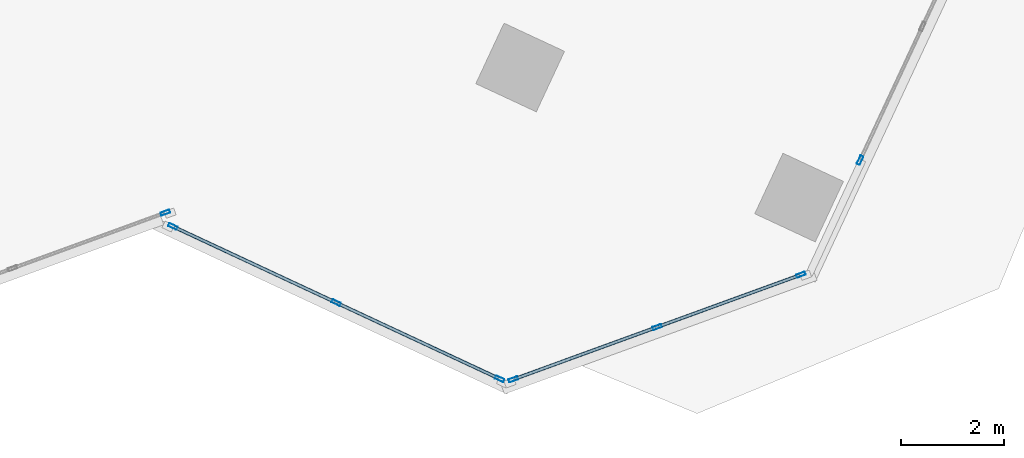
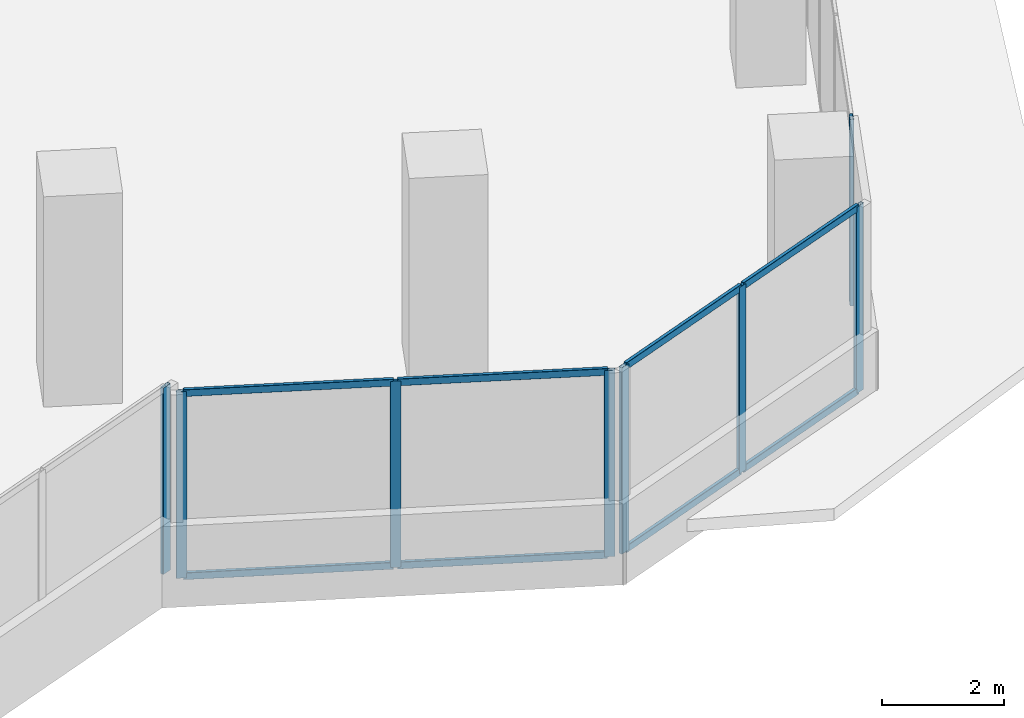
# One storey, part 7 of 23: 16 members, 4 elements without a shape of their own.
"""IFC4 building model written with IfcOpenShell, lengths in metres."""

from ifc_helpers import new_model, si_unit, direction, frame, origin, origin_2d, place, context, subcontext, project, spatial, hollow_rectangle, extrude, source, transform, mapped, material, material_profile, profile_set, type_object, element, aggregate, save


model = new_model("IFC4")

# Units and contexts
model_context = context("Model", 3, precision=1e-05, world=origin(), true_north=direction((0.0, 1.0)))
body_context = subcontext(model_context, "Body", "Model", "MODEL_VIEW")
ifc_project = project(units=[si_unit("LENGTHUNIT", "METRE"), si_unit("AREAUNIT", "SQUARE_METRE"), si_unit("VOLUMEUNIT", "CUBIC_METRE"), si_unit("PLANEANGLEUNIT", "RADIAN"), si_unit("MASSUNIT", "GRAM", prefix="KILO")], contexts=[model_context])

# Site, building, storey
site_placement = place(None, origin())
site = spatial("IfcSite", under=ifc_project, at=site_placement, CompositionType="ELEMENT")
building_placement = place(site_placement, origin())
building = spatial("IfcBuilding", under=site, at=building_placement, Name="Torre Montelarca", CompositionType="ELEMENT")
storey_placement = place(building_placement, frame((0.0, 0.0, 154.0)))
storey = spatial("IfcBuildingStorey", under=building, at=storey_placement, Name="L34", CompositionType="ELEMENT", Elevation=154.0)

# Curtain wall, members
ifc_material_1 = material(Name="Insulated low-E laminated glass", Category="glass")
curtain_wall_type = type_object("IfcCurtainWallType", Name="CW-SYS-Z2", PredefinedType="USERDEFINED", material=ifc_material_1)
curtain_wall_1_placement = place(storey_placement, origin())
curtain_wall_1 = element("IfcCurtainWall", 1, at=curtain_wall_1_placement, inside=storey, type_object=curtain_wall_type, Name="L34 Curtain Wall Run CW-T3-L34-E05-B1", ObjectType="UNITISED GLAZING", PredefinedType="USERDEFINED")
ifc_material_2 = material(Name="Anodised aluminium AA 6063-T6", Category="aluminium")
ifc_material_profile_1 = material_profile(ifc_material_2, hollow_rectangle(XDim=0.06494140625, YDim=0.139892578125, WallThickness=0.00390625, InnerFilletRadius=0.00390625, OuterFilletRadius=0.008056640625, at=origin_2d()), Name="ALU65X140X4", Category="aluminium")
ifc_profile_set_1 = profile_set([ifc_material_profile_1], Name="Anodised aluminium AA 6063-T6")
member_type_1 = type_object("IfcMemberType", Name="CWT-ALU140", PredefinedType="USERDEFINED", material=ifc_profile_set_1)
shared_shape_1 = source(origin(), body_context, "Body", "SweptSolid", [
    extrude(hollow_rectangle(XDim=0.06494140625, YDim=0.139892578125, WallThickness=0.00390625, InnerFilletRadius=0.00390625, OuterFilletRadius=0.008056640625, at=origin_2d()), origin(), (0.0, 0.0, 1.0), 2.918701171875),
])
member_1_placement = place(storey_placement, frame((36.5947265625, 10.01611328125, 0.032470703125), z_axis=(0.939688362671, 0.342031842172, 0.0), x_axis=(-0.342031842172, 0.939688362671, 0.0)))
member_1 = element("IfcMember", 2, at=member_1_placement, type_object=member_type_1, Name="CW transom 1.1", ObjectType="TRANSOM", PredefinedType="USERDEFINED", context=body_context, shape_type="MappedRepresentation", body=[
    mapped(shared_shape_1, transform((0.0, 0.0, 0.0), scale=1.0)),
])
member_2_placement = place(storey_placement, frame((36.5947265625, 10.01611328125, 3.6875), z_axis=(0.939688362671, 0.342031842172, 0.0), x_axis=(-0.342031842172, 0.939688362671, 0.0)))
member_2 = element("IfcMember", 3, at=member_2_placement, type_object=member_type_1, Name="CW transom 1.2", ObjectType="TRANSOM", PredefinedType="USERDEFINED", context=body_context, shape_type="MappedRepresentation", body=[
    mapped(shared_shape_1, transform((0.0, 0.0, 0.0), scale=1.0)),
])
member_3_placement = place(storey_placement, frame((39.3984375, 11.03662109375, 0.032470703125), z_axis=(0.939715244905, 0.341957977672, 0.0), x_axis=(-0.341957977672, 0.939715244905, 0.0)))
member_3 = element("IfcMember", 4, at=member_3_placement, type_object=member_type_1, Name="CW transom 2.1", ObjectType="TRANSOM", PredefinedType="USERDEFINED", context=body_context, shape_type="MappedRepresentation", body=[
    mapped(shared_shape_1, transform((0.0, 0.0, 0.0), scale=1.0)),
])
member_4_placement = place(storey_placement, frame((39.3984375, 11.03662109375, 3.6875), z_axis=(0.939715244905, 0.341957977672, 0.0), x_axis=(-0.341957977672, 0.939715244905, 0.0)))
member_4 = element("IfcMember", 5, at=member_4_placement, type_object=member_type_1, Name="CW transom 2.2", ObjectType="TRANSOM", PredefinedType="USERDEFINED", context=body_context, shape_type="MappedRepresentation", body=[
    mapped(shared_shape_1, transform((0.0, 0.0, 0.0), scale=1.0)),
])

# Curtain wall, member
curtain_wall_2_placement = place(storey_placement, origin())
curtain_wall_2 = element("IfcCurtainWall", 6, at=curtain_wall_2_placement, inside=storey, type_object=curtain_wall_type, Name="L34 Curtain Wall Run CW-T3-L34-E02-B1", ObjectType="UNITISED GLAZING", PredefinedType="USERDEFINED")
ifc_material_profile_2 = material_profile(ifc_material_2, hollow_rectangle(XDim=0.06494140625, YDim=0.179931640625, WallThickness=0.00390625, InnerFilletRadius=0.00390625, OuterFilletRadius=0.008056640625, at=origin_2d()), Name="ALU65X180X4", Category="aluminium")
ifc_profile_set_2 = profile_set([ifc_material_profile_2], Name="Anodised aluminium AA 6063-T6")
member_type_2 = type_object("IfcMemberType", Name="CWM-ALU180", PredefinedType="MULLION", material=ifc_profile_set_2)
shared_shape_2 = source(origin(), body_context, "Body", "SweptSolid", [
    extrude(hollow_rectangle(XDim=0.06494140625, YDim=0.179931640625, WallThickness=0.00390625, InnerFilletRadius=0.00390625, OuterFilletRadius=0.008056640625, at=origin_2d()), origin(), (0.0, 0.0, 1.0), 3.719970703125),
])
member_5_placement = place(storey_placement, frame((29.781982421875, 13.25537109375, 0.0), z_axis=(0.0, 0.0, 1.0), x_axis=(-0.342017799316, 0.939693473932, 0.0)))
member_5 = element("IfcMember", 7, at=member_5_placement, type_object=member_type_2, Name="CW mullion 3", PredefinedType="MULLION", context=body_context, shape_type="MappedRepresentation", body=[
    mapped(shared_shape_2, transform((0.0, 0.0, 0.0), scale=1.0)),
])
aggregate(curtain_wall_2, [member_5])

# Curtain wall, members
curtain_wall_3_placement = place(storey_placement, origin())
curtain_wall_3 = element("IfcCurtainWall", 8, at=curtain_wall_3_placement, inside=storey, type_object=curtain_wall_type, Name="L34 Curtain Wall Run CW-T3-L34-E04-B1", ObjectType="UNITISED GLAZING", PredefinedType="USERDEFINED")
member_6_placement = place(storey_placement, frame((29.9287109375, 12.986328125, 0.0), z_axis=(0.0, 0.0, 1.0), x_axis=(0.422602150764, 0.906315299534, 0.0)))
member_6 = element("IfcMember", 9, at=member_6_placement, type_object=member_type_2, Name="CW mullion 1", PredefinedType="MULLION", context=body_context, shape_type="MappedRepresentation", body=[
    mapped(shared_shape_2, transform((0.0, 0.0, 0.0), scale=1.0)),
])
member_7_placement = place(storey_placement, frame((33.113037109375, 11.50146484375, 0.0), z_axis=(0.0, 0.0, 1.0), x_axis=(0.422602150764, 0.906315299534, 0.0)))
member_7 = element("IfcMember", 10, at=member_7_placement, type_object=member_type_2, Name="CW mullion 2", PredefinedType="MULLION", context=body_context, shape_type="MappedRepresentation", body=[
    mapped(shared_shape_2, transform((0.0, 0.0, 0.0), scale=1.0)),
])
member_8_placement = place(storey_placement, frame((36.29736328125, 10.016845703125, 0.0), z_axis=(0.0, 0.0, 1.0), x_axis=(0.422602150764, 0.906315299534, 0.0)))
member_8 = element("IfcMember", 11, at=member_8_placement, type_object=member_type_2, Name="CW mullion 3", PredefinedType="MULLION", context=body_context, shape_type="MappedRepresentation", body=[
    mapped(shared_shape_2, transform((0.0, 0.0, 0.0), scale=1.0)),
])

# Member
member_9_placement = place(storey_placement, frame((36.564208984375, 10.005126953125, 0.0), z_axis=(0.0, 0.0, 1.0), x_axis=(-0.342015916313, 0.939694159282, 0.0)))
member_9 = element("IfcMember", 12, at=member_9_placement, type_object=member_type_2, Name="CW mullion 1", PredefinedType="MULLION", context=body_context, shape_type="MappedRepresentation", body=[
    mapped(shared_shape_2, transform((0.0, 0.0, 0.0), scale=1.0)),
])

member_10_placement = place(storey_placement, frame((39.367919921875, 11.025390625, 0.0), z_axis=(0.0, 0.0, 1.0), x_axis=(-0.342015916313, 0.939694159282, 0.0)))
member_10 = element("IfcMember", 13, at=member_10_placement, type_object=member_type_2, Name="CW mullion 2", PredefinedType="MULLION", context=body_context, shape_type="MappedRepresentation", body=[
    mapped(shared_shape_2, transform((0.0, 0.0, 0.0), scale=1.0)),
])

member_11_placement = place(storey_placement, frame((42.171630859375, 12.0458984375, 0.0), z_axis=(0.0, 0.0, 1.0), x_axis=(-0.342015916313, 0.939694159282, 0.0)))
member_11 = element("IfcMember", 14, at=member_11_placement, type_object=member_type_2, Name="CW mullion 3", PredefinedType="MULLION", context=body_context, shape_type="MappedRepresentation", body=[
    mapped(shared_shape_2, transform((0.0, 0.0, 0.0), scale=1.0)),
])

aggregate(curtain_wall_1, [member_9, member_10, member_11, member_1, member_2, member_3, member_4])

# Curtain wall, member
curtain_wall_4_placement = place(storey_placement, origin())
curtain_wall_4 = element("IfcCurtainWall", 15, at=curtain_wall_4_placement, inside=storey, type_object=curtain_wall_type, Name="L34 Curtain Wall Run CW-T3-L34-E06-B1", ObjectType="UNITISED GLAZING", PredefinedType="USERDEFINED")
member_12_placement = place(storey_placement, frame((43.325439453125, 14.2783203125, 0.0), z_axis=(0.0, 0.0, 1.0), x_axis=(-0.906306995899, 0.422619958337, 0.0)))
member_12 = element("IfcMember", 16, at=member_12_placement, type_object=member_type_2, Name="CW mullion 1", PredefinedType="MULLION", context=body_context, shape_type="MappedRepresentation", body=[
    mapped(shared_shape_2, transform((0.0, 0.0, 0.0), scale=1.0)),
])
aggregate(curtain_wall_4, [member_12])

# Member
shared_shape_3 = source(origin(), body_context, "Body", "SweptSolid", [
    extrude(hollow_rectangle(XDim=0.06494140625, YDim=0.139892578125, WallThickness=0.00390625, InnerFilletRadius=0.00390625, OuterFilletRadius=0.008056640625, at=origin_2d()), origin(), (0.0, 0.0, 1.0), 3.448486328125),
])
member_13_placement = place(storey_placement, frame((29.958251953125, 12.97265625, 0.032470703125), z_axis=(0.906325971471, -0.422579262905, 0.0), x_axis=(0.422579262905, 0.906325971471, 0.0)))
member_13 = element("IfcMember", 17, at=member_13_placement, type_object=member_type_1, Name="CW transom 1.1", ObjectType="TRANSOM", PredefinedType="USERDEFINED", context=body_context, shape_type="MappedRepresentation", body=[
    mapped(shared_shape_3, transform((0.0, 0.0, 0.0), scale=1.0)),
])

member_14_placement = place(storey_placement, frame((29.958251953125, 12.97265625, 3.6875), z_axis=(0.906325971471, -0.422579262905, 0.0), x_axis=(0.422579262905, 0.906325971471, 0.0)))
member_14 = element("IfcMember", 18, at=member_14_placement, type_object=member_type_1, Name="CW transom 1.2", ObjectType="TRANSOM", PredefinedType="USERDEFINED", context=body_context, shape_type="MappedRepresentation", body=[
    mapped(shared_shape_3, transform((0.0, 0.0, 0.0), scale=1.0)),
])

member_15_placement = place(storey_placement, frame((33.142578125, 11.48779296875, 0.032470703125), z_axis=(0.906325971471, -0.422579262905, 0.0), x_axis=(0.422579262905, 0.906325971471, 0.0)))
member_15 = element("IfcMember", 19, at=member_15_placement, type_object=member_type_1, Name="CW transom 2.1", ObjectType="TRANSOM", PredefinedType="USERDEFINED", context=body_context, shape_type="MappedRepresentation", body=[
    mapped(shared_shape_3, transform((0.0, 0.0, 0.0), scale=1.0)),
])

member_16_placement = place(storey_placement, frame((33.142578125, 11.48779296875, 3.6875), z_axis=(0.906325971471, -0.422579262905, 0.0), x_axis=(0.422579262905, 0.906325971471, 0.0)))
member_16 = element("IfcMember", 20, at=member_16_placement, type_object=member_type_1, Name="CW transom 2.2", ObjectType="TRANSOM", PredefinedType="USERDEFINED", context=body_context, shape_type="MappedRepresentation", body=[
    mapped(shared_shape_3, transform((0.0, 0.0, 0.0), scale=1.0)),
])

aggregate(curtain_wall_3, [member_6, member_7, member_8, member_13, member_14, member_15, member_16])

save(model, "model.ifc")
